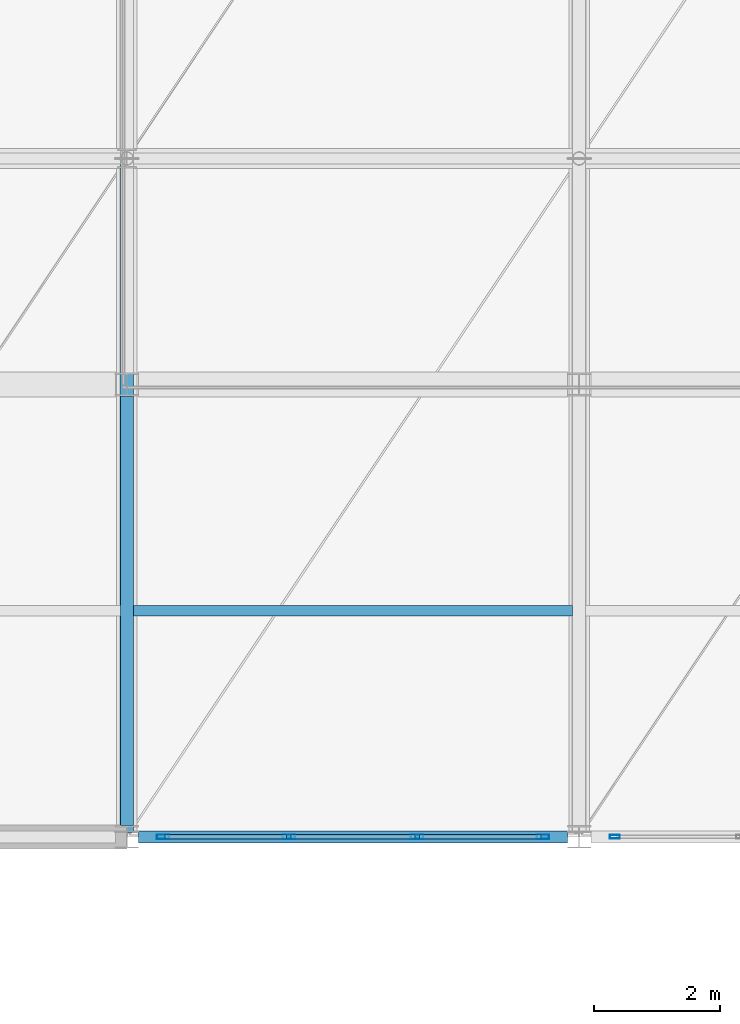
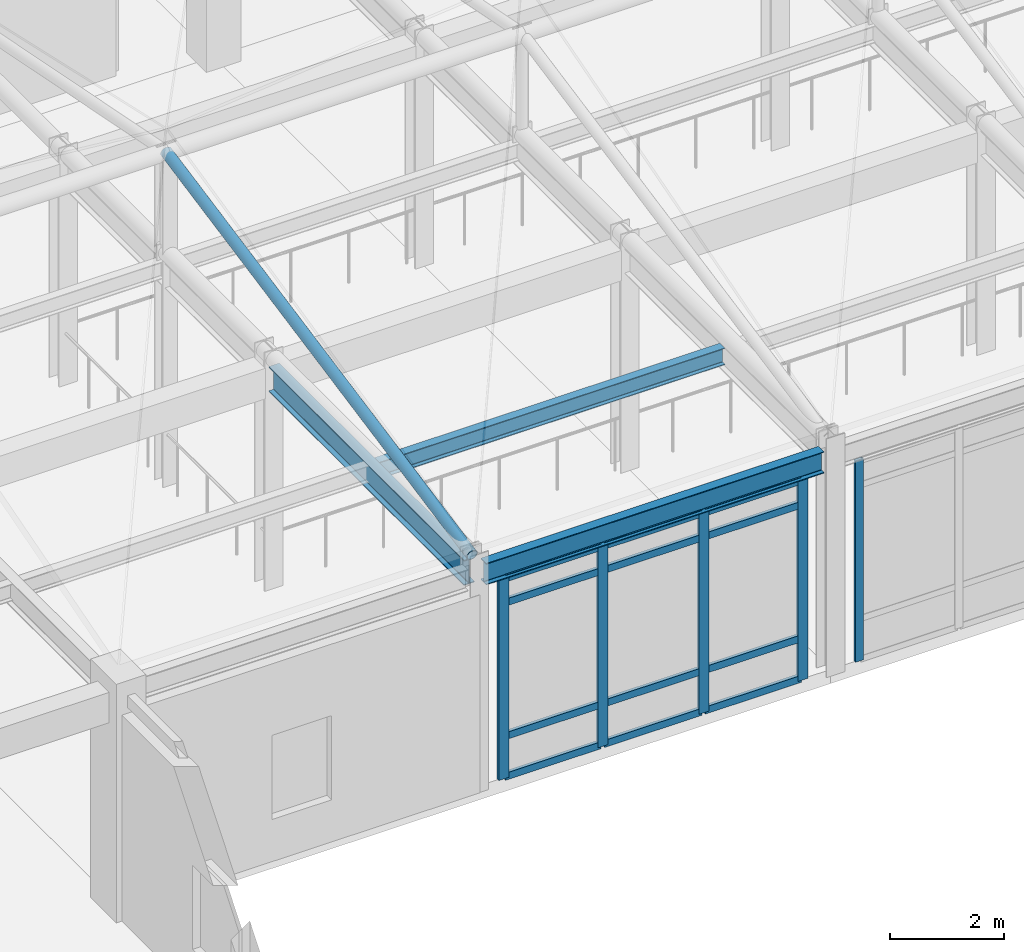
# One storey, part 35 of 117: 18 members, 3 beams, 2 elements without a shape of their own.
"""IFC4 building model written with IfcOpenShell, lengths in metres."""

from ifc_helpers import new_model, si_unit, direction, frame, origin, origin_2d, place, context, subcontext, project, spatial, hollow_rectangle, hollow_circle, i_section, extrude, material, layer, layer_set, material_profile, profile_set, type_object, element, aggregate, save


model = new_model("IFC4")

# Units and contexts
model_context = context("Model", 3, precision=1e-05, world=origin(), true_north=direction((0.0, 1.0)))
body_context = subcontext(model_context, "Body", "Model", "MODEL_VIEW")
ifc_project = project(units=[si_unit("LENGTHUNIT", "METRE"), si_unit("AREAUNIT", "SQUARE_METRE"), si_unit("VOLUMEUNIT", "CUBIC_METRE"), si_unit("PLANEANGLEUNIT", "RADIAN"), si_unit("MASSUNIT", "GRAM", prefix="KILO")], contexts=[model_context])

# Site, building, storey
site_placement = place(None, origin())
site = spatial("IfcSite", under=ifc_project, at=site_placement, CompositionType="ELEMENT")
building_placement = place(site_placement, origin())
building = spatial("IfcBuilding", under=site, at=building_placement, Name="Carrowvane Square Congress Hotel", CompositionType="ELEMENT")
storey_placement = place(building_placement, frame((0.0, 0.0, 5.39990234375)))
storey = spatial("IfcBuildingStorey", under=building, at=storey_placement, Name="L01", CompositionType="ELEMENT", Elevation=5.39990234375)

# Beams
ifc_material_1 = material(Name="Steel S355", Category="steel")
ifc_material_profile_1 = material_profile(ifc_material_1, i_section(OverallWidth=0.172119140625, OverallDepth=0.35791015625, WebThickness=0.008056640625, FlangeThickness=0.012939453125, FilletRadius=0.01025390625, at=origin_2d()), Name="UKB 356x171x57")
ifc_profile_set_1 = profile_set([ifc_material_profile_1], Name="Steel S355")
beam_type_1 = type_object("IfcBeamType", Name="BM-ST-UKB356", PredefinedType="JOIST", material=ifc_profile_set_1)
beam_1_placement = place(storey_placement, frame((76.5048828125, 73.800048828125, 4.60107421875), z_axis=(1.0, 0.0, 0.0), x_axis=(0.0, 1.0, 0.0)))
element("IfcBeam", 1, at=beam_1_placement, inside=storey, type_object=beam_type_1, Name="L02 secondary joist 10-11", PredefinedType="JOIST", context=body_context, shape_type="SweptSolid", body=[
    extrude(i_section(OverallWidth=0.172119140625, OverallDepth=0.35791015625, WebThickness=0.008056640625, FlangeThickness=0.012939453125, FilletRadius=0.01025390625, at=origin_2d()), origin(), (0.0, 0.0, 1.0), 6.990234375),
])
ifc_material_2 = material(Name="Steel S355", Category="steel")
ifc_material_profile_2 = material_profile(ifc_material_2, i_section(OverallWidth=0.19140625, OverallDepth=0.4599609375, WebThickness=0.010009765625, FlangeThickness=0.01611328125, FilletRadius=0.01025390625, at=origin_2d()), Name="UKB 457x191x82")
ifc_profile_set_2 = profile_set([ifc_material_profile_2], Name="Steel S355")
beam_type_2 = type_object("IfcBeamType", Name="BM-ST-UKB457", PredefinedType="SPANDREL", material=ifc_profile_set_2)
beam_2_placement = place(storey_placement, frame((76.585205078125, 70.199951171875, 4.550048828125), z_axis=(1.0, 0.0, 0.0), x_axis=(0.0, 1.0, 0.0)))
element("IfcBeam", 2, at=beam_2_placement, inside=storey, type_object=beam_type_2, Name="L02 girder K/10-11", PredefinedType="SPANDREL", context=body_context, shape_type="SweptSolid", body=[
    extrude(i_section(OverallWidth=0.19140625, OverallDepth=0.4599609375, WebThickness=0.010009765625, FlangeThickness=0.01611328125, FilletRadius=0.01025390625, at=origin_2d()), origin(), (0.0, 0.0, 1.0), 6.82958984375),
])
ifc_material_3 = material(Name="Steel S355", Category="steel")
ifc_material_profile_3 = material_profile(ifc_material_3, i_section(OverallWidth=0.2099609375, OverallDepth=0.53662109375, WebThickness=0.0107421875, FlangeThickness=0.017333984375, FilletRadius=0.0126953125, at=origin_2d()), Name="UKB 533x210x101")
ifc_profile_set_3 = profile_set([ifc_material_profile_3], Name="Steel S355")
beam_type_3 = type_object("IfcBeamType", Name="BM-ST-UKB533", PredefinedType="USERDEFINED", material=ifc_profile_set_3)
beam_3_placement = place(storey_placement, frame((76.39990234375, 70.381103515625, 4.51171875), z_axis=(0.0, 1.0, 0.0), x_axis=(-1.0, 0.0, 0.0)))
element("IfcBeam", 3, at=beam_3_placement, inside=storey, type_object=beam_type_3, Name="L02 girder 10/K-L", ObjectType="GIRDER", PredefinedType="USERDEFINED", context=body_context, shape_type="SweptSolid", body=[
    extrude(i_section(OverallWidth=0.2099609375, OverallDepth=0.53662109375, WebThickness=0.0107421875, FlangeThickness=0.017333984375, FilletRadius=0.0126953125, at=origin_2d()), origin(), (0.0, 0.0, 1.0), 6.837890625),
])

# Curtain wall, member
ifc_material_4 = material(Name="Anodised aluminium", Category="aluminium")
ifc_layer_1 = layer(ifc_material_4, 0.18603515625)
ifc_layer_set_1 = layer_set([ifc_layer_1], Name="Anodised aluminium")
curtain_wall_type_1 = type_object("IfcCurtainWallType", Name="CW-SYS-3", PredefinedType="NOTDEFINED", material=ifc_layer_set_1)
curtain_wall_1_placement = place(storey_placement, origin())
curtain_wall_1 = element("IfcCurtainWall", 4, at=curtain_wall_1_placement, inside=storey, type_object=curtain_wall_type_1, Name="L01 unitised curtain wall 122", PredefinedType="NOTDEFINED")
ifc_material_5 = material(Name="Anodised aluminium", Category="aluminium")
ifc_material_profile_4 = material_profile(ifc_material_5, hollow_rectangle(XDim=0.06005859375, YDim=0.159912109375, WallThickness=0.00390625, at=origin_2d()), Name="CW-ML 60x160x4")
ifc_profile_set_4 = profile_set([ifc_material_profile_4], Name="Anodised aluminium")
member_type_1 = type_object("IfcMemberType", Name="CW-MUL-1", PredefinedType="MULLION", material=ifc_profile_set_4)
member_1_placement = place(storey_placement, frame((84.169921875, 70.199951171875, 0.0), z_axis=(0.0, 0.0, 1.0), x_axis=(0.0, -1.0, 0.0)))
member_1 = element("IfcMember", 5, at=member_1_placement, type_object=member_type_1, Name="CW-3 mullion 4", PredefinedType="MULLION", context=body_context, shape_type="SweptSolid", body=[
    extrude(hollow_rectangle(XDim=0.06005859375, YDim=0.159912109375, WallThickness=0.00390625, at=origin_2d()), origin(), (0.0, 0.0, 1.0), 4.30517578125),
])
aggregate(curtain_wall_1, [member_1])

# Curtain wall, members
ifc_material_6 = material(Name="Anodised aluminium", Category="aluminium")
ifc_layer_2 = layer(ifc_material_6, 0.197998046875)
ifc_layer_set_2 = layer_set([ifc_layer_2], Name="Anodised aluminium")
curtain_wall_type_2 = type_object("IfcCurtainWallType", Name="CW-SYS-4", PredefinedType="NOTDEFINED", material=ifc_layer_set_2)
curtain_wall_2_placement = place(storey_placement, origin())
curtain_wall_2 = element("IfcCurtainWall", 6, at=curtain_wall_2_placement, inside=storey, type_object=curtain_wall_type_2, Name="L01 unitised curtain wall 123", PredefinedType="NOTDEFINED")
ifc_material_7 = material(Name="Anodised aluminium", Category="aluminium")
ifc_material_profile_5 = material_profile(ifc_material_7, hollow_rectangle(XDim=0.070068359375, YDim=0.199951171875, WallThickness=0.0048828125, at=origin_2d()), Name="CW-ML 70x200x5")
ifc_profile_set_5 = profile_set([ifc_material_profile_5], Name="Anodised aluminium")
member_type_2 = type_object("IfcMemberType", Name="CW-MUL-2", PredefinedType="MULLION", material=ifc_profile_set_5)
member_2_placement = place(storey_placement, frame((83.02490234375, 70.199951171875, 0.0), z_axis=(0.0, 0.0, 1.0), x_axis=(0.0, -1.0, 0.0)))
member_2 = element("IfcMember", 7, at=member_2_placement, type_object=member_type_2, Name="CW-4 mullion 1", PredefinedType="MULLION", context=body_context, shape_type="SweptSolid", body=[
    extrude(hollow_rectangle(XDim=0.070068359375, YDim=0.199951171875, WallThickness=0.0048828125, at=origin_2d()), origin(), (0.0, 0.0, 1.0), 4.30517578125),
])
member_3_placement = place(storey_placement, frame((81.02001953125, 70.199951171875, 0.0), z_axis=(0.0, 0.0, 1.0), x_axis=(0.0, -1.0, 0.0)))
member_3 = element("IfcMember", 8, at=member_3_placement, type_object=member_type_2, Name="CW-4 mullion 2", PredefinedType="MULLION", context=body_context, shape_type="SweptSolid", body=[
    extrude(hollow_rectangle(XDim=0.070068359375, YDim=0.199951171875, WallThickness=0.0048828125, at=origin_2d()), origin(), (0.0, 0.0, 1.0), 4.30517578125),
])
member_4_placement = place(storey_placement, frame((78.97998046875, 70.199951171875, 0.0), z_axis=(0.0, 0.0, 1.0), x_axis=(0.0, -1.0, 0.0)))
member_4 = element("IfcMember", 9, at=member_4_placement, type_object=member_type_2, Name="CW-4 mullion 3", PredefinedType="MULLION", context=body_context, shape_type="SweptSolid", body=[
    extrude(hollow_rectangle(XDim=0.070068359375, YDim=0.199951171875, WallThickness=0.0048828125, at=origin_2d()), origin(), (0.0, 0.0, 1.0), 4.30517578125),
])
member_5_placement = place(storey_placement, frame((76.97509765625, 70.199951171875, 0.0), z_axis=(0.0, 0.0, 1.0), x_axis=(0.0, -1.0, 0.0)))
member_5 = element("IfcMember", 10, at=member_5_placement, type_object=member_type_2, Name="CW-4 mullion 4", PredefinedType="MULLION", context=body_context, shape_type="SweptSolid", body=[
    extrude(hollow_rectangle(XDim=0.070068359375, YDim=0.199951171875, WallThickness=0.0048828125, at=origin_2d()), origin(), (0.0, 0.0, 1.0), 4.30517578125),
])
ifc_material_8 = material(Name="Anodised aluminium", Category="aluminium")
ifc_material_profile_6 = material_profile(ifc_material_8, hollow_rectangle(XDim=0.070068359375, YDim=0.14990234375, WallThickness=0.0048828125, at=origin_2d()), Name="CW-TR 70x150x5")
ifc_profile_set_6 = profile_set([ifc_material_profile_6], Name="Anodised aluminium")
member_type_3 = type_object("IfcMemberType", Name="CW-TRN-2", PredefinedType="USERDEFINED", material=ifc_profile_set_6)
member_6_placement = place(storey_placement, frame((82.989990234375, 70.199951171875, 0.03515625), z_axis=(-1.0, 0.0, 0.0), x_axis=(0.0, -1.0, 0.0)))
member_6 = element("IfcMember", 11, at=member_6_placement, type_object=member_type_3, Name="CW-4 transom 1.1", ObjectType="TRANSOM", PredefinedType="USERDEFINED", context=body_context, shape_type="SweptSolid", body=[
    extrude(hollow_rectangle(XDim=0.070068359375, YDim=0.14990234375, WallThickness=0.0048828125, at=origin_2d()), origin(), (0.0, 0.0, 1.0), 1.93505859375),
])
member_7_placement = place(storey_placement, frame((82.989990234375, 70.199951171875, 0.900146484375), z_axis=(-1.0, 0.0, 0.0), x_axis=(0.0, -1.0, 0.0)))
member_7 = element("IfcMember", 12, at=member_7_placement, type_object=member_type_3, Name="CW-4 transom 1.2", ObjectType="TRANSOM", PredefinedType="USERDEFINED", context=body_context, shape_type="SweptSolid", body=[
    extrude(hollow_rectangle(XDim=0.070068359375, YDim=0.14990234375, WallThickness=0.0048828125, at=origin_2d()), origin(), (0.0, 0.0, 1.0), 1.93505859375),
])
member_8_placement = place(storey_placement, frame((82.989990234375, 70.199951171875, 3.755126953125), z_axis=(-1.0, 0.0, 0.0), x_axis=(0.0, -1.0, 0.0)))
member_8 = element("IfcMember", 13, at=member_8_placement, type_object=member_type_3, Name="CW-4 transom 1.3", ObjectType="TRANSOM", PredefinedType="USERDEFINED", context=body_context, shape_type="SweptSolid", body=[
    extrude(hollow_rectangle(XDim=0.070068359375, YDim=0.14990234375, WallThickness=0.0048828125, at=origin_2d()), origin(), (0.0, 0.0, 1.0), 1.93505859375),
])
member_9_placement = place(storey_placement, frame((82.989990234375, 70.199951171875, 4.27001953125), z_axis=(-1.0, 0.0, 0.0), x_axis=(0.0, -1.0, 0.0)))
member_9 = element("IfcMember", 14, at=member_9_placement, type_object=member_type_3, Name="CW-4 transom 1.4", ObjectType="TRANSOM", PredefinedType="USERDEFINED", context=body_context, shape_type="SweptSolid", body=[
    extrude(hollow_rectangle(XDim=0.070068359375, YDim=0.14990234375, WallThickness=0.0048828125, at=origin_2d()), origin(), (0.0, 0.0, 1.0), 1.93505859375),
])
member_10_placement = place(storey_placement, frame((80.985107421875, 70.199951171875, 0.03515625), z_axis=(-1.0, 0.0, 0.0), x_axis=(0.0, -1.0, 0.0)))
member_10 = element("IfcMember", 15, at=member_10_placement, type_object=member_type_3, Name="CW-4 transom 2.1", ObjectType="TRANSOM", PredefinedType="USERDEFINED", context=body_context, shape_type="SweptSolid", body=[
    extrude(hollow_rectangle(XDim=0.070068359375, YDim=0.14990234375, WallThickness=0.0048828125, at=origin_2d()), origin(), (0.0, 0.0, 1.0), 1.97021484375),
])
member_11_placement = place(storey_placement, frame((80.985107421875, 70.199951171875, 0.900146484375), z_axis=(-1.0, 0.0, 0.0), x_axis=(0.0, -1.0, 0.0)))
member_11 = element("IfcMember", 16, at=member_11_placement, type_object=member_type_3, Name="CW-4 transom 2.2", ObjectType="TRANSOM", PredefinedType="USERDEFINED", context=body_context, shape_type="SweptSolid", body=[
    extrude(hollow_rectangle(XDim=0.070068359375, YDim=0.14990234375, WallThickness=0.0048828125, at=origin_2d()), origin(), (0.0, 0.0, 1.0), 1.97021484375),
])
member_12_placement = place(storey_placement, frame((80.985107421875, 70.199951171875, 3.755126953125), z_axis=(-1.0, 0.0, 0.0), x_axis=(0.0, -1.0, 0.0)))
member_12 = element("IfcMember", 17, at=member_12_placement, type_object=member_type_3, Name="CW-4 transom 2.3", ObjectType="TRANSOM", PredefinedType="USERDEFINED", context=body_context, shape_type="SweptSolid", body=[
    extrude(hollow_rectangle(XDim=0.070068359375, YDim=0.14990234375, WallThickness=0.0048828125, at=origin_2d()), origin(), (0.0, 0.0, 1.0), 1.97021484375),
])
member_13_placement = place(storey_placement, frame((80.985107421875, 70.199951171875, 4.27001953125), z_axis=(-1.0, 0.0, 0.0), x_axis=(0.0, -1.0, 0.0)))
member_13 = element("IfcMember", 18, at=member_13_placement, type_object=member_type_3, Name="CW-4 transom 2.4", ObjectType="TRANSOM", PredefinedType="USERDEFINED", context=body_context, shape_type="SweptSolid", body=[
    extrude(hollow_rectangle(XDim=0.070068359375, YDim=0.14990234375, WallThickness=0.0048828125, at=origin_2d()), origin(), (0.0, 0.0, 1.0), 1.97021484375),
])
member_14_placement = place(storey_placement, frame((78.945068359375, 70.199951171875, 0.03515625), z_axis=(-1.0, 0.0, 0.0), x_axis=(0.0, -1.0, 0.0)))
member_14 = element("IfcMember", 19, at=member_14_placement, type_object=member_type_3, Name="CW-4 transom 3.1", ObjectType="TRANSOM", PredefinedType="USERDEFINED", context=body_context, shape_type="SweptSolid", body=[
    extrude(hollow_rectangle(XDim=0.070068359375, YDim=0.14990234375, WallThickness=0.0048828125, at=origin_2d()), origin(), (0.0, 0.0, 1.0), 1.93505859375),
])
member_15_placement = place(storey_placement, frame((78.945068359375, 70.199951171875, 0.900146484375), z_axis=(-1.0, 0.0, 0.0), x_axis=(0.0, -1.0, 0.0)))
member_15 = element("IfcMember", 20, at=member_15_placement, type_object=member_type_3, Name="CW-4 transom 3.2", ObjectType="TRANSOM", PredefinedType="USERDEFINED", context=body_context, shape_type="SweptSolid", body=[
    extrude(hollow_rectangle(XDim=0.070068359375, YDim=0.14990234375, WallThickness=0.0048828125, at=origin_2d()), origin(), (0.0, 0.0, 1.0), 1.93505859375),
])
member_16_placement = place(storey_placement, frame((78.945068359375, 70.199951171875, 3.755126953125), z_axis=(-1.0, 0.0, 0.0), x_axis=(0.0, -1.0, 0.0)))
member_16 = element("IfcMember", 21, at=member_16_placement, type_object=member_type_3, Name="CW-4 transom 3.3", ObjectType="TRANSOM", PredefinedType="USERDEFINED", context=body_context, shape_type="SweptSolid", body=[
    extrude(hollow_rectangle(XDim=0.070068359375, YDim=0.14990234375, WallThickness=0.0048828125, at=origin_2d()), origin(), (0.0, 0.0, 1.0), 1.93505859375),
])
member_17_placement = place(storey_placement, frame((78.945068359375, 70.199951171875, 4.27001953125), z_axis=(-1.0, 0.0, 0.0), x_axis=(0.0, -1.0, 0.0)))
member_17 = element("IfcMember", 22, at=member_17_placement, type_object=member_type_3, Name="CW-4 transom 3.4", ObjectType="TRANSOM", PredefinedType="USERDEFINED", context=body_context, shape_type="SweptSolid", body=[
    extrude(hollow_rectangle(XDim=0.070068359375, YDim=0.14990234375, WallThickness=0.0048828125, at=origin_2d()), origin(), (0.0, 0.0, 1.0), 1.93505859375),
])
aggregate(curtain_wall_2, [member_2, member_3, member_4, member_5, member_6, member_7, member_8, member_9, member_10, member_11, member_12, member_13, member_14, member_15, member_16, member_17])

# Member
ifc_material_9 = material(Name="Steel S355", Category="steel")
ifc_material_profile_7 = material_profile(ifc_material_9, hollow_circle(Radius=0.109619140625, WallThickness=0.012451171875, at=origin_2d()), Name="CHS 219.1x12.5")
ifc_profile_set_7 = profile_set([ifc_material_profile_7], Name="Steel S355")
member_type_4 = type_object("IfcMemberType", Name="MEM-ST-CHS219", PredefinedType="STRUT", material=ifc_profile_set_7)
member_18_placement = place(storey_placement, frame((76.39990234375, 70.280029296875, 4.920166015625), z_axis=(0.0, 0.980904965039, 0.19448765915), x_axis=(-1.0, 0.0, 0.0)))
element("IfcMember", 23, at=member_18_placement, inside=storey, type_object=member_type_4, Name="Public passage canopy strut S-1", PredefinedType="STRUT", context=body_context, shape_type="SweptSolid", body=[
    extrude(hollow_circle(Radius=0.109619140625, WallThickness=0.012451171875, at=origin_2d()), origin(), (0.0, 0.0, 1.0), 10.9287109375),
])

save(model, "model.ifc")
